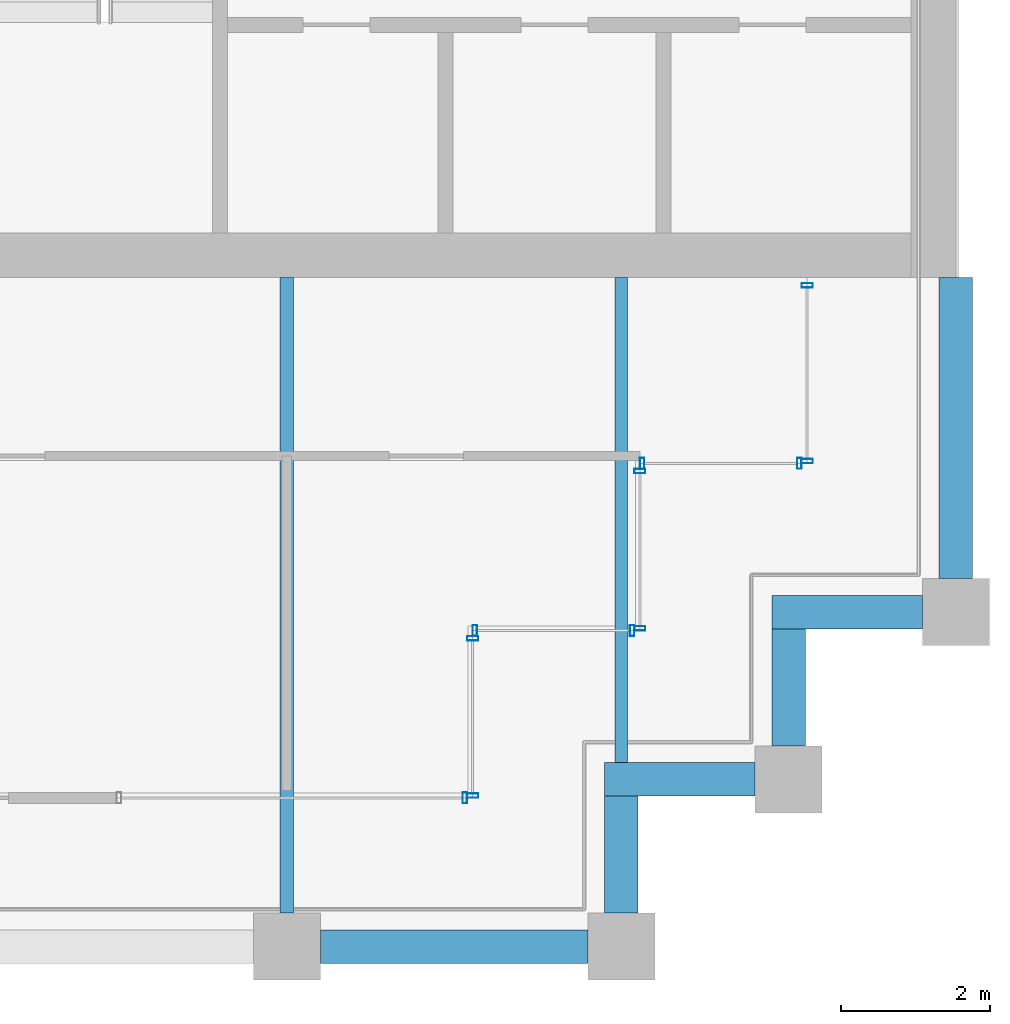
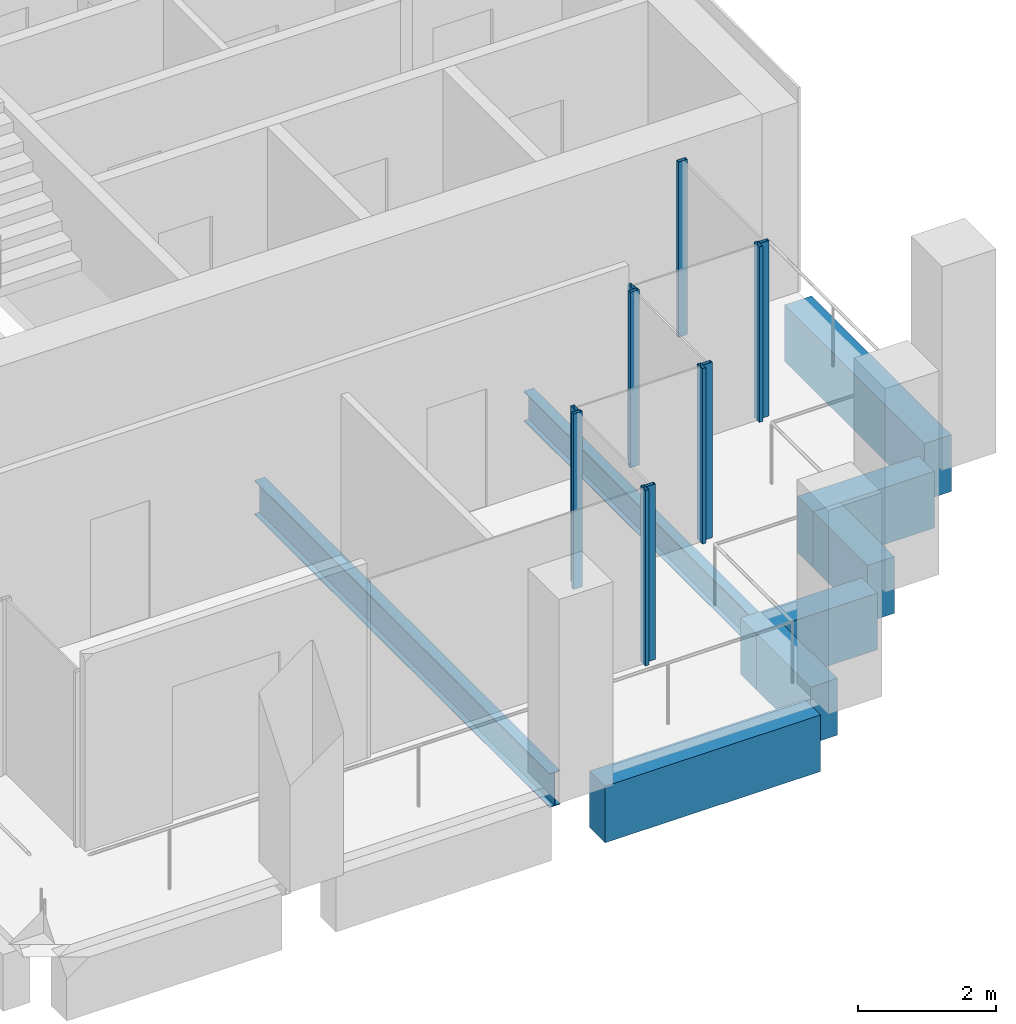
# One storey, part 31 of 40: 11 members, 8 beams, 6 elements without a shape of their own.
"""IFC4 building model written with IfcOpenShell, lengths in metres."""

import ifcopenshell
import ifcopenshell.guid

model = None  # the IFC model being written
_history = None  # IfcOwnerHistory: only IFC2X3 demands one
_inside = {}  # id of a spatial element -> (the spatial element, [elements in it])
_under = {}  # id of a project, library or spatial element -> (it, [spatial elements below it])
_declared = {}  # id of a project -> (the project, [libraries it declares])
_typed = {}  # id of a type object -> (the type object, [elements of that type])
_made_of = {}  # id of a material, layer set ... -> (it, [elements and type objects made of it])


def new_model(schema):
    """Start an empty IFC model of exactly this schema.

    Asked for "IFC4X3", IfcOpenShell would pick the latest addendum, in which some entities
    have other attributes; the version numbers below select the first issue.
    IFC2X3 requires an IfcOwnerHistory on every rooted entity: one is made here for all.
    """
    global model, _history
    if schema == "IFC4X3":
        model = ifcopenshell.file(schema_version=(4, 3, 0, 0))
    else:
        model = ifcopenshell.file(schema=schema)
    _inside.clear()
    _under.clear()
    _declared.clear()
    _typed.clear()
    _made_of.clear()
    _history = None
    if model.schema == "IFC2X3":
        org = make("IfcOrganization", Name="unknown")
        user = make(
            "IfcPersonAndOrganization",
            ThePerson=make("IfcPerson", FamilyName="unknown"),
            TheOrganization=org,
        )
        app = make(
            "IfcApplication",
            ApplicationDeveloper=org,
            Version="unknown",
            ApplicationFullName="unknown",
            ApplicationIdentifier="unknown",
        )
        _history = make(
            "IfcOwnerHistory",
            OwningUser=user,
            OwningApplication=app,
            ChangeAction="ADDED",
            CreationDate=0,
        )
    return model


def make(cls, **values):
    """One entity of the class cls with the attributes given. An attribute that is None is left unset."""
    return model.create_entity(
        cls, **{name: value for name, value in values.items() if value is not None}
    )


def rooted(cls, **values):
    """An entity with a GlobalId (a new one), such as an element, a storey or a relation."""
    return make(cls, GlobalId=ifcopenshell.guid.new(), OwnerHistory=_history, **values)


def si_unit(unit_type, name, prefix=None):
    """IfcSIUnit, for example si_unit("LENGTHUNIT", "METRE", prefix="MILLI")."""
    return make("IfcSIUnit", UnitType=unit_type, Prefix=prefix, Name=name)


def assignment(units):
    """IfcUnitAssignment: the units of a project."""
    return None if units is None else make("IfcUnitAssignment", Units=units)


def point(xyz):
    """IfcCartesianPoint."""
    return None if xyz is None else make("IfcCartesianPoint", Coordinates=xyz)


def direction(xyz):
    """IfcDirection."""
    return None if xyz is None else make("IfcDirection", DirectionRatios=xyz)


def frame(location, z_axis=None, x_axis=None):
    """IfcAxis2Placement3D, a coordinate frame: its origin and axes. An axis left out is left unset."""
    return make(
        "IfcAxis2Placement3D",
        Location=point(location),
        Axis=direction(z_axis),
        RefDirection=direction(x_axis),
    )


def frame_2d(location, x_axis=None):
    """IfcAxis2Placement2D, a coordinate frame in the plane: its origin and x axis."""
    return make(
        "IfcAxis2Placement2D", Location=point(location), RefDirection=direction(x_axis)
    )


def origin():
    """The frame at (0, 0, 0) with its axes left unset."""
    return frame((0.0, 0.0, 0.0))


def origin_2d():
    """The frame at (0, 0) in the plane with its x axis left unset."""
    return frame_2d((0.0, 0.0))


def place(relative_to, where):
    """IfcLocalPlacement: puts the frame where relative to a parent placement (None: the world)."""
    return make(
        "IfcLocalPlacement", PlacementRelTo=relative_to, RelativePlacement=where
    )


def context(
    kind, dimensions, precision=None, world=None, true_north=None, identifier=None
):
    """IfcGeometricRepresentationContext, for example the 3D "Model" context."""
    return make(
        "IfcGeometricRepresentationContext",
        ContextIdentifier=identifier,
        ContextType=kind,
        CoordinateSpaceDimension=dimensions,
        Precision=precision,
        WorldCoordinateSystem=world,
        TrueNorth=true_north,
    )


def subcontext(parent, identifier, kind, view, scale=None):
    """IfcGeometricRepresentationSubContext, for example "Body" below "Model"."""
    return make(
        "IfcGeometricRepresentationSubContext",
        ContextIdentifier=identifier,
        ContextType=kind,
        ParentContext=parent,
        TargetScale=scale,
        TargetView=view,
    )


def project(units=None, contexts=None):
    """IfcProject with its units and contexts."""
    return rooted(
        "IfcProject",
        Name="project",
        RepresentationContexts=contexts,
        UnitsInContext=assignment(units),
    )


def spatial(cls, under=None, at=None, **own):
    """A site, building, storey or space (cls), placed at a placement, below another one or the project."""
    s = rooted(cls, ObjectPlacement=at, **own)
    if under is not None:
        _under.setdefault(under.id(), (under, []))[1].append(s)
    return s


def profile(cls, at=None, kind="AREA", **sizes):
    """A parametric profile (cls). Its sizes go by their IFC names, for example OverallWidth=200.0."""
    return make(cls, ProfileType=kind, Position=at, **sizes)


def rectangle(**sizes):
    """IfcRectangleProfileDef."""
    return profile("IfcRectangleProfileDef", **sizes)


def hollow_rectangle(**sizes):
    """IfcRectangleHollowProfileDef."""
    return profile("IfcRectangleHollowProfileDef", **sizes)


def i_section(**sizes):
    """IfcIShapeProfileDef."""
    return profile("IfcIShapeProfileDef", **sizes)


def extrude(swept, where, along, depth):
    """IfcExtrudedAreaSolid: the profile swept, set in the frame where, extruded along a direction by depth."""
    return make(
        "IfcExtrudedAreaSolid",
        SweptArea=swept,
        Position=where,
        ExtrudedDirection=direction(along),
        Depth=depth,
    )


def shape(context_of_items, identifier, shape_type, items):
    """IfcShapeRepresentation: the items that make up one representation, for example the "Body"."""
    return make(
        "IfcShapeRepresentation",
        ContextOfItems=context_of_items,
        RepresentationIdentifier=identifier,
        RepresentationType=shape_type,
        Items=items,
    )


def material(Name=None, Category=None):
    """IfcMaterial."""
    return make("IfcMaterial", Name=Name, Category=Category)


def material_profile(
    of_material, cross_section, Name=None, Category=None, Priority=None
):
    """IfcMaterialProfile: a cross section and its material."""
    return make(
        "IfcMaterialProfile",
        Name=Name,
        Material=of_material,
        Profile=cross_section,
        Priority=Priority,
        Category=Category,
    )


def profile_set(profiles, Name=None, composite=None):
    """IfcMaterialProfileSet."""
    return make(
        "IfcMaterialProfileSet",
        Name=Name,
        MaterialProfiles=profiles,
        CompositeProfile=composite,
    )


def made_of(thing, what):
    """Note that an element or type object is made of a material, layer set ...; save() writes the relation."""
    if what is not None:
        _made_of.setdefault(what.id(), (what, []))[1].append(thing)
    return thing


def type_object(cls, material=None, **own):
    """A type object (cls), such as IfcWallType, which elements share."""
    return made_of(rooted(cls, **own), material)


def element(
    cls,
    number,
    at=None,
    inside=None,
    cuts=None,
    type_object=None,
    material=None,
    context=None,
    identifier="Body",
    shape_type=None,
    held_by="IfcProductDefinitionShape",
    body=None,
    shapes=None,
    **own,
):
    """One element of the class cls, such as IfcWall. Its Tag is "e" and its number.

    at: its placement. inside: the storey or other place that contains it. cuts: it is an
    opening in that element (IfcRelVoidsElement). A single representation is given by context,
    identifier, shape_type and body (its items); several are given by shapes. held_by: the class
    of the entity that holds the representations. save() writes the other relations.
    """
    e = rooted(cls, Tag="e%d" % number, ObjectPlacement=at, **own)
    if body is not None:
        shapes = [shape(context, identifier, shape_type, body)]
    if shapes is not None:
        e.Representation = make(held_by, Representations=shapes)
    if inside is not None:
        _inside.setdefault(inside.id(), (inside, []))[1].append(e)
    if cuts is not None:
        rooted(
            "IfcRelVoidsElement", RelatingBuildingElement=cuts, RelatedOpeningElement=e
        )
    if type_object is not None:
        _typed.setdefault(type_object.id(), (type_object, []))[1].append(e)
    return made_of(e, material)


def aggregate(whole, parts):
    """IfcRelAggregates: a whole, such as a stair, and the parts it consists of."""
    return rooted("IfcRelAggregates", RelatingObject=whole, RelatedObjects=parts)


def save(model, path):
    """Write the relations noted so far, then the file.

    IfcRelAggregates (storeys below a building ...), IfcRelContainedInSpatialStructure (elements
    in a storey), IfcRelDefinesByType, IfcRelAssociatesMaterial and IfcRelDeclares: one each for
    every whole, place, type object, material and project.
    """
    for whole, parts in _under.values():
        aggregate(whole, parts)
    for where, things in _inside.values():
        rooted(
            "IfcRelContainedInSpatialStructure",
            RelatedElements=things,
            RelatingStructure=where,
        )
    for kind, things in _typed.values():
        rooted("IfcRelDefinesByType", RelatedObjects=things, RelatingType=kind)
    for what, things in _made_of.values():
        rooted("IfcRelAssociatesMaterial", RelatedObjects=things, RelatingMaterial=what)
    for by, libraries in _declared.values():
        rooted("IfcRelDeclares", RelatingContext=by, RelatedDefinitions=libraries)
    model.write(path)


model = new_model("IFC4")

# Units and contexts
model_context = context("Model", 3, precision=1e-05, world=origin(), true_north=direction((0.0, 1.0)))
body_context = subcontext(model_context, "Body", "Model", "MODEL_VIEW")
ifc_project = project(units=[si_unit("LENGTHUNIT", "METRE"), si_unit("AREAUNIT", "SQUARE_METRE"), si_unit("VOLUMEUNIT", "CUBIC_METRE"), si_unit("PLANEANGLEUNIT", "RADIAN"), si_unit("MASSUNIT", "GRAM", prefix="KILO")], contexts=[model_context])

# Site, building, storey
site_placement = place(None, origin())
site = spatial("IfcSite", under=ifc_project, at=site_placement, CompositionType="ELEMENT")
building_placement = place(site_placement, origin())
building = spatial("IfcBuilding", under=site, at=building_placement, Name="Altepetl Exchange Towers", CompositionType="ELEMENT")
storey_placement = place(building_placement, frame((0.0, 0.0, 151.0)))
storey = spatial("IfcBuildingStorey", under=building, at=storey_placement, Name="L37", CompositionType="ELEMENT", Elevation=151.0)

# Beams
ifc_material_1 = material(Name="Steel S355", Category="steel")
ifc_material_profile_1 = material_profile(ifc_material_1, i_section(OverallWidth=0.166015625, OverallDepth=0.529052734375, WebThickness=0.009765625, FlangeThickness=0.013671875, at=origin_2d()), Name="W21X50")
ifc_profile_set_1 = profile_set([ifc_material_profile_1], Name="Steel S355")
beam_type_1 = type_object("IfcBeamType", Name="Floor beam W21X50", PredefinedType="BEAM", material=ifc_profile_set_1)
beam_1_placement = place(storey_placement, frame((112.5, 29.47509765625, -0.41455078125), z_axis=(0.0, 1.0, 0.0), x_axis=(-1.0, 0.0, 0.0)))
element("IfcBeam", 1, at=beam_1_placement, inside=storey, type_object=beam_type_1, Name="bm:B:L37:003", PredefinedType="BEAM", context=body_context, shape_type="SweptSolid", body=[
    extrude(i_section(OverallWidth=0.166015625, OverallDepth=0.529052734375, WebThickness=0.009765625, FlangeThickness=0.013671875, at=origin_2d()), origin(), (0.0, 0.0, 1.0), 6.52490234375),
])
ifc_material_profile_2 = material_profile(ifc_material_1, i_section(OverallWidth=0.177978515625, OverallDepth=0.59912109375, WebThickness=0.010009765625, FlangeThickness=0.0126953125, at=origin_2d()), Name="W24X55")
ifc_profile_set_2 = profile_set([ifc_material_profile_2], Name="Steel S355")
beam_type_2 = type_object("IfcBeamType", Name="Floor beam W24X55", PredefinedType="BEAM", material=ifc_profile_set_2)
beam_2_placement = place(storey_placement, frame((108.0, 27.449951171875, -0.449462890625), z_axis=(0.0, 1.0, 0.0), x_axis=(-1.0, 0.0, 0.0)))
element("IfcBeam", 2, at=beam_2_placement, inside=storey, type_object=beam_type_2, Name="bm:B:L37:002", PredefinedType="BEAM", context=body_context, shape_type="SweptSolid", body=[
    extrude(i_section(OverallWidth=0.177978515625, OverallDepth=0.59912109375, WebThickness=0.010009765625, FlangeThickness=0.0126953125, at=origin_2d()), origin(), (0.0, 0.0, 1.0), 8.550048828125),
])

# Curtain wall, member
ifc_material_2 = material(Name="Aluminium 6063-T6 glazing", Category="aluminium")
curtain_wall_type = type_object("IfcCurtainWallType", Name="Loggia glazing system", PredefinedType="NOTDEFINED", material=ifc_material_2)
curtain_wall_1_placement = place(storey_placement, origin())
curtain_wall_1 = element("IfcCurtainWall", 3, at=curtain_wall_1_placement, inside=storey, type_object=curtain_wall_type, Name="CW1 run", PredefinedType="NOTDEFINED")
ifc_material_3 = material(Name="Aluminium 6063-T6", Category="aluminium")
ifc_material_profile_3 = material_profile(ifc_material_3, hollow_rectangle(XDim=0.06005859375, YDim=0.14990234375, WallThickness=0.0029296875, at=origin_2d()), Name="Mullion 60x150 aluminium")
ifc_profile_set_3 = profile_set([ifc_material_profile_3], Name="Aluminium 6063-T6")
member_type = type_object("IfcMemberType", Name="Mullion 60x150 aluminium", PredefinedType="MULLION", material=ifc_profile_set_3)
member_1_placement = place(storey_placement, frame((110.39501953125, 29.0, 0.0)))
member_1 = element("IfcMember", 4, at=member_1_placement, type_object=member_type, Name="MU1 mullion", PredefinedType="MULLION", context=body_context, shape_type="SweptSolid", body=[
    extrude(hollow_rectangle(XDim=0.06005859375, YDim=0.14990234375, WallThickness=0.0029296875, at=origin_2d()), origin(), (0.0, 0.0, 1.0), 3.10009765625),
])
aggregate(curtain_wall_1, [member_1])

# Curtain wall, members
curtain_wall_2_placement = place(storey_placement, origin())
curtain_wall_2 = element("IfcCurtainWall", 5, at=curtain_wall_2_placement, inside=storey, type_object=curtain_wall_type, Name="CW1 run", PredefinedType="NOTDEFINED")
member_2_placement = place(storey_placement, frame((110.5, 29.030029296875, 0.0), z_axis=(0.0, 0.0, 1.0), x_axis=(0.0, 1.0, 0.0)))
member_2 = element("IfcMember", 6, at=member_2_placement, type_object=member_type, Name="MU1 mullion", PredefinedType="MULLION", context=body_context, shape_type="SweptSolid", body=[
    extrude(hollow_rectangle(XDim=0.06005859375, YDim=0.14990234375, WallThickness=0.0029296875, at=origin_2d()), origin(), (0.0, 0.0, 1.0), 3.10009765625),
])
member_3_placement = place(storey_placement, frame((110.5, 31.14501953125, 0.0), z_axis=(0.0, 0.0, 1.0), x_axis=(0.0, 1.0, 0.0)))
member_3 = element("IfcMember", 7, at=member_3_placement, type_object=member_type, Name="MU1 mullion", PredefinedType="MULLION", context=body_context, shape_type="SweptSolid", body=[
    extrude(hollow_rectangle(XDim=0.06005859375, YDim=0.14990234375, WallThickness=0.0029296875, at=origin_2d()), origin(), (0.0, 0.0, 1.0), 3.10009765625),
])
aggregate(curtain_wall_2, [member_2, member_3])

curtain_wall_3_placement = place(storey_placement, origin())
curtain_wall_3 = element("IfcCurtainWall", 8, at=curtain_wall_3_placement, inside=storey, type_object=curtain_wall_type, Name="CW1 run", PredefinedType="NOTDEFINED")
member_4_placement = place(storey_placement, frame((110.530029296875, 31.25, 0.0)))
member_4 = element("IfcMember", 9, at=member_4_placement, type_object=member_type, Name="MU1 mullion", PredefinedType="MULLION", context=body_context, shape_type="SweptSolid", body=[
    extrude(hollow_rectangle(XDim=0.06005859375, YDim=0.14990234375, WallThickness=0.0029296875, at=origin_2d()), origin(), (0.0, 0.0, 1.0), 3.10009765625),
])
member_5_placement = place(storey_placement, frame((112.64501953125, 31.25, 0.0)))
member_5 = element("IfcMember", 10, at=member_5_placement, type_object=member_type, Name="MU1 mullion", PredefinedType="MULLION", context=body_context, shape_type="SweptSolid", body=[
    extrude(hollow_rectangle(XDim=0.06005859375, YDim=0.14990234375, WallThickness=0.0029296875, at=origin_2d()), origin(), (0.0, 0.0, 1.0), 3.10009765625),
])
aggregate(curtain_wall_3, [member_4, member_5])

curtain_wall_4_placement = place(storey_placement, origin())
curtain_wall_4 = element("IfcCurtainWall", 11, at=curtain_wall_4_placement, inside=storey, type_object=curtain_wall_type, Name="CW1 run", PredefinedType="NOTDEFINED")
member_6_placement = place(storey_placement, frame((112.75, 31.280029296875, 0.0), z_axis=(0.0, 0.0, 1.0), x_axis=(0.0, 1.0, 0.0)))
member_6 = element("IfcMember", 12, at=member_6_placement, type_object=member_type, Name="MU1 mullion", PredefinedType="MULLION", context=body_context, shape_type="SweptSolid", body=[
    extrude(hollow_rectangle(XDim=0.06005859375, YDim=0.14990234375, WallThickness=0.0029296875, at=origin_2d()), origin(), (0.0, 0.0, 1.0), 3.10009765625),
])
member_7_placement = place(storey_placement, frame((112.75, 33.39501953125, 0.0), z_axis=(0.0, 0.0, 1.0), x_axis=(0.0, 1.0, 0.0)))
member_7 = element("IfcMember", 13, at=member_7_placement, type_object=member_type, Name="MU1 mullion", PredefinedType="MULLION", context=body_context, shape_type="SweptSolid", body=[
    extrude(hollow_rectangle(XDim=0.06005859375, YDim=0.14990234375, WallThickness=0.0029296875, at=origin_2d()), origin(), (0.0, 0.0, 1.0), 3.10009765625),
])
aggregate(curtain_wall_4, [member_6, member_7])

curtain_wall_5_placement = place(storey_placement, origin())
curtain_wall_5 = element("IfcCurtainWall", 14, at=curtain_wall_5_placement, inside=storey, type_object=curtain_wall_type, Name="CW1 run", PredefinedType="NOTDEFINED")
member_8_placement = place(storey_placement, frame((112.780029296875, 33.5, 0.0)))
member_8 = element("IfcMember", 15, at=member_8_placement, type_object=member_type, Name="MU1 mullion", PredefinedType="MULLION", context=body_context, shape_type="SweptSolid", body=[
    extrude(hollow_rectangle(XDim=0.06005859375, YDim=0.14990234375, WallThickness=0.0029296875, at=origin_2d()), origin(), (0.0, 0.0, 1.0), 3.10009765625),
])
member_9_placement = place(storey_placement, frame((114.89501953125, 33.5, 0.0)))
member_9 = element("IfcMember", 16, at=member_9_placement, type_object=member_type, Name="MU1 mullion", PredefinedType="MULLION", context=body_context, shape_type="SweptSolid", body=[
    extrude(hollow_rectangle(XDim=0.06005859375, YDim=0.14990234375, WallThickness=0.0029296875, at=origin_2d()), origin(), (0.0, 0.0, 1.0), 3.10009765625),
])
aggregate(curtain_wall_5, [member_8, member_9])

curtain_wall_6_placement = place(storey_placement, origin())
curtain_wall_6 = element("IfcCurtainWall", 17, at=curtain_wall_6_placement, inside=storey, type_object=curtain_wall_type, Name="CW1 run", PredefinedType="NOTDEFINED")
member_10_placement = place(storey_placement, frame((115.0, 33.530029296875, 0.0), z_axis=(0.0, 0.0, 1.0), x_axis=(0.0, 1.0, 0.0)))
member_10 = element("IfcMember", 18, at=member_10_placement, type_object=member_type, Name="MU1 mullion", PredefinedType="MULLION", context=body_context, shape_type="SweptSolid", body=[
    extrude(hollow_rectangle(XDim=0.06005859375, YDim=0.14990234375, WallThickness=0.0029296875, at=origin_2d()), origin(), (0.0, 0.0, 1.0), 3.10009765625),
])
member_11_placement = place(storey_placement, frame((115.0, 35.89501953125, 0.0), z_axis=(0.0, 0.0, 1.0), x_axis=(0.0, 1.0, 0.0)))
member_11 = element("IfcMember", 19, at=member_11_placement, type_object=member_type, Name="MU1 mullion", PredefinedType="MULLION", context=body_context, shape_type="SweptSolid", body=[
    extrude(hollow_rectangle(XDim=0.06005859375, YDim=0.14990234375, WallThickness=0.0029296875, at=origin_2d()), origin(), (0.0, 0.0, 1.0), 3.10009765625),
])
aggregate(curtain_wall_6, [member_10, member_11])

# Beams
ifc_material_4 = material(Name="Concrete C50/60 precast with cantera blanca facing", Category="concrete")
ifc_material_profile_4 = material_profile(ifc_material_4, rectangle(XDim=0.449951171875, YDim=1.0, at=origin_2d()), Name="450 x 1000")
ifc_profile_set_4 = profile_set([ifc_material_profile_4], Name="Concrete C50/60 precast with cantera blanca facing")
beam_type_3 = type_object("IfcBeamType", Name="Spandrel beam 450x1000 cantera blanca", PredefinedType="SPANDREL", material=ifc_profile_set_4)
beam_3_placement = place(storey_placement, frame((117.0, 31.949951171875, -0.64990234375), z_axis=(0.0, 1.0, 0.0), x_axis=(-1.0, 0.0, 0.0)))
element("IfcBeam", 20, at=beam_3_placement, inside=storey, type_object=beam_type_3, Name="sp:B:L37:007", PredefinedType="SPANDREL", context=body_context, shape_type="SweptSolid", body=[
    extrude(rectangle(XDim=0.449951171875, YDim=1.0, at=origin_2d()), origin(), (0.0, 0.0, 1.0), 4.050048828125),
])
ifc_material_5 = material(Name="Concrete C50/60 precast with tezontle facing", Category="concrete")
ifc_material_profile_5 = material_profile(ifc_material_5, rectangle(XDim=0.449951171875, YDim=1.0, at=origin_2d()), Name="450 x 1000")
ifc_profile_set_5 = profile_set([ifc_material_profile_5], Name="Concrete C50/60 precast with tezontle facing")
beam_type_4 = type_object("IfcBeamType", Name="Spandrel beam 450x1000 tezontle", PredefinedType="SPANDREL", material=ifc_profile_set_5)
beam_4_placement = place(storey_placement, frame((108.449951171875, 27.0, -0.64990234375), z_axis=(1.0, 0.0, 0.0), x_axis=(0.0, 1.0, 0.0)))
element("IfcBeam", 21, at=beam_4_placement, inside=storey, type_object=beam_type_4, Name="sp:B:L37:002", PredefinedType="SPANDREL", context=body_context, shape_type="SweptSolid", body=[
    extrude(rectangle(XDim=0.449951171875, YDim=1.0, at=origin_2d()), origin(), (0.0, 0.0, 1.0), 3.60009765625),
])
beam_5_placement = place(storey_placement, frame((112.5, 27.449951171875, -0.64990234375), z_axis=(0.0, 1.0, 0.0), x_axis=(-1.0, 0.0, 0.0)))
element("IfcBeam", 22, at=beam_5_placement, inside=storey, type_object=beam_type_4, Name="sp:B:L37:003", PredefinedType="SPANDREL", context=body_context, shape_type="SweptSolid", body=[
    extrude(rectangle(XDim=0.449951171875, YDim=1.0, at=origin_2d()), origin(), (0.0, 0.0, 1.0), 1.574951171875),
])
beam_6_placement = place(storey_placement, frame((112.27490234375, 29.25, -0.64990234375), z_axis=(1.0, 0.0, 0.0), x_axis=(0.0, 1.0, 0.0)))
element("IfcBeam", 23, at=beam_6_placement, inside=storey, type_object=beam_type_4, Name="sp:B:L37:004", PredefinedType="SPANDREL", context=body_context, shape_type="SweptSolid", body=[
    extrude(rectangle(XDim=0.449951171875, YDim=1.0, at=origin_2d()), origin(), (0.0, 0.0, 1.0), 2.025146484375),
])
beam_7_placement = place(storey_placement, frame((114.75, 29.699951171875, -0.64990234375), z_axis=(0.0, 1.0, 0.0), x_axis=(-1.0, 0.0, 0.0)))
element("IfcBeam", 24, at=beam_7_placement, inside=storey, type_object=beam_type_4, Name="sp:B:L37:005", PredefinedType="SPANDREL", context=body_context, shape_type="SweptSolid", body=[
    extrude(rectangle(XDim=0.449951171875, YDim=1.0, at=origin_2d()), origin(), (0.0, 0.0, 1.0), 1.574951171875),
])
beam_8_placement = place(storey_placement, frame((114.52490234375, 31.5, -0.64990234375), z_axis=(1.0, 0.0, 0.0), x_axis=(0.0, 1.0, 0.0)))
element("IfcBeam", 25, at=beam_8_placement, inside=storey, type_object=beam_type_4, Name="sp:B:L37:006", PredefinedType="SPANDREL", context=body_context, shape_type="SweptSolid", body=[
    extrude(rectangle(XDim=0.449951171875, YDim=1.0, at=origin_2d()), origin(), (0.0, 0.0, 1.0), 2.025146484375),
])

save(model, "model.ifc")
